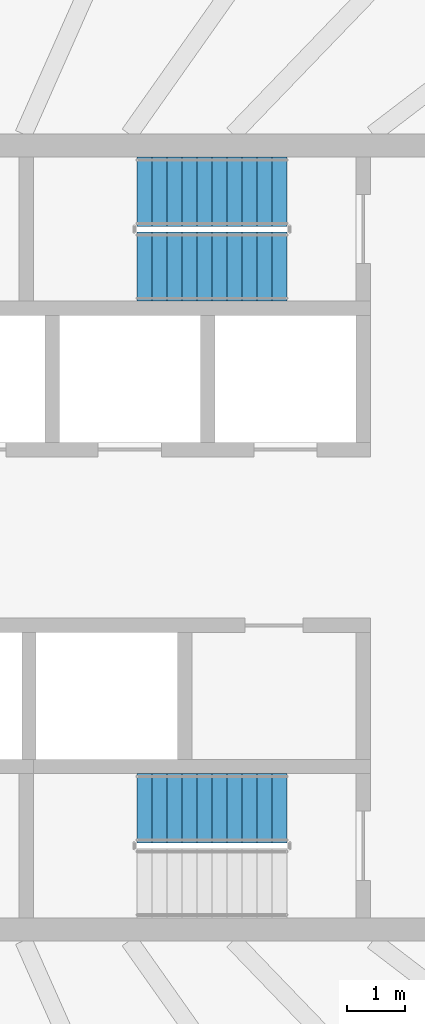
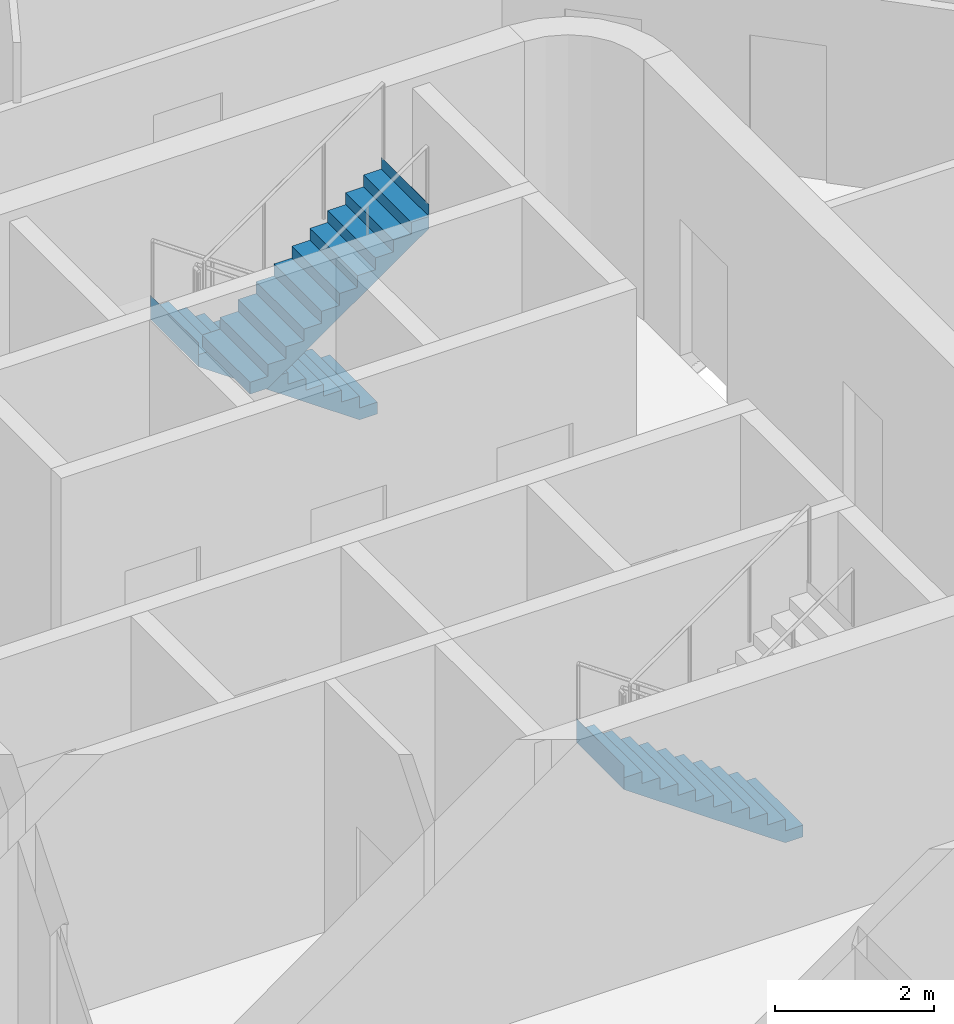
# One storey, part 15 of 20: 3 stair flights, 2 elements without a shape of their own.
"""IFC4 building model written with IfcOpenShell, lengths in metres."""

from ifc_helpers import new_model, si_unit, direction, frame, origin, place, context, subcontext, project, spatial, triangles, material, type_object, element, aggregate, save


model = new_model("IFC4")

# Units and contexts
model_context = context("Model", 3, precision=1e-05, world=origin(), true_north=direction((0.0, 1.0)))
body_context = subcontext(model_context, "Body", "Model", "MODEL_VIEW")
ifc_project = project(units=[si_unit("LENGTHUNIT", "METRE"), si_unit("AREAUNIT", "SQUARE_METRE"), si_unit("VOLUMEUNIT", "CUBIC_METRE"), si_unit("PLANEANGLEUNIT", "RADIAN"), si_unit("MASSUNIT", "GRAM", prefix="KILO")], contexts=[model_context])

# Site, building, storey
site_placement = place(None, origin())
site = spatial("IfcSite", under=ifc_project, at=site_placement, CompositionType="ELEMENT")
building_placement = place(site_placement, origin())
building = spatial("IfcBuilding", under=site, at=building_placement, Name="Sahrelin Media Tower", CompositionType="ELEMENT")
storey_placement = place(building_placement, frame((0.0, 0.0, 267.0)))
storey = spatial("IfcBuildingStorey", under=building, at=storey_placement, Name="L58", CompositionType="ELEMENT", Elevation=267.0)

# Stair, stair flights
ifc_material = material(Name="Concrete C40/50", Category="concrete")
stair_type = type_object("IfcStairType", Name="Exit stair 1200", PredefinedType="HALF_TURN_STAIR", material=ifc_material)
placement = place(storey_placement, origin())
stair_1 = element("IfcStair", 1, at=placement, inside=storey, type_object=stair_type, Name="L58 Exit stair ST3", PredefinedType="HALF_TURN_STAIR")
stair_flight_type = type_object("IfcStairFlightType", Name="Stair flight 1200", PredefinedType="STRAIGHT", material=ifc_material)
stair_flight_1_placement = place(storey_placement, frame((7.675048828125, 6.0, 0.0), z_axis=(0.0, 0.0, 1.0), x_axis=(-1.0, 0.0, 0.0)))
stair_flight_1 = element("IfcStairFlight", 2, at=stair_flight_1_placement, type_object=stair_flight_type, Name="ST3 flight 1", NumberOfRisers=11, NumberOfTreads=10, PredefinedType="STRAIGHT", RiserHeight=0.181818182, TreadLength=0.26, context=body_context, shape_type="Tessellation", body=[
    triangles([(0.261474609375, 0.60009765625, 0.0), (0.261474609375, 0.300048828125, 0.0), (0.261474609375, 0.0, 0.0), (0.261474609375, -0.300048828125, 0.0), (0.261474609375, -0.60009765625, 0.0), (2.60009765625, 0.60009765625, 1.63525390625), (2.60009765625, 0.300048828125, 1.63525390625), (2.60009765625, 0.0, 1.63525390625), (2.60009765625, -0.300048828125, 1.63525390625), (2.60009765625, -0.60009765625, 1.63525390625), (2.60009765625, 0.60009765625, 2.0), (2.60009765625, 0.300048828125, 2.0), (2.60009765625, 0.0, 2.0), (2.60009765625, -0.300048828125, 2.0), (2.60009765625, -0.60009765625, 2.0), (2.597900390625, 0.60009765625, 2.0), (2.597900390625, 0.300048828125, 2.0), (2.597900390625, 0.0, 2.0), (2.597900390625, -0.300048828125, 2.0), (2.597900390625, -0.60009765625, 2.0), (2.597900390625, 0.60009765625, 1.818115234375), (2.597900390625, 0.300048828125, 1.818115234375), (2.597900390625, 0.0, 1.818115234375), (2.597900390625, -0.300048828125, 1.818115234375), (2.597900390625, -0.60009765625, 1.818115234375), (2.340087890625, 0.60009765625, 1.818115234375), (2.340087890625, 0.300048828125, 1.818115234375), (2.340087890625, 0.0, 1.818115234375), (2.340087890625, -0.300048828125, 1.818115234375), (2.340087890625, -0.60009765625, 1.818115234375), (2.340087890625, 0.60009765625, 1.636474609375), (2.340087890625, 0.300048828125, 1.636474609375), (2.340087890625, 0.0, 1.636474609375), (2.340087890625, -0.300048828125, 1.636474609375), (2.340087890625, -0.60009765625, 1.636474609375), (2.080078125, 0.60009765625, 1.636474609375), (2.080078125, 0.300048828125, 1.636474609375), (2.080078125, 0.0, 1.636474609375), (2.080078125, -0.300048828125, 1.636474609375), (2.080078125, -0.60009765625, 1.636474609375), (2.080078125, 0.60009765625, 1.45458984375), (2.080078125, 0.300048828125, 1.45458984375), (2.080078125, 0.0, 1.45458984375), (2.080078125, -0.300048828125, 1.45458984375), (2.080078125, -0.60009765625, 1.45458984375), (1.820068359375, 0.60009765625, 1.45458984375), (1.820068359375, 0.300048828125, 1.45458984375), (1.820068359375, 0.0, 1.45458984375), (1.820068359375, -0.300048828125, 1.45458984375), (1.820068359375, -0.60009765625, 1.45458984375), (1.820068359375, 0.60009765625, 1.272705078125), (1.820068359375, 0.300048828125, 1.272705078125), (1.820068359375, 0.0, 1.272705078125), (1.820068359375, -0.300048828125, 1.272705078125), (1.820068359375, -0.60009765625, 1.272705078125), (1.56005859375, 0.60009765625, 1.272705078125), (1.56005859375, 0.300048828125, 1.272705078125), (1.56005859375, 0.0, 1.272705078125), (1.56005859375, -0.300048828125, 1.272705078125), (1.56005859375, -0.60009765625, 1.272705078125), (1.56005859375, 0.60009765625, 1.0908203125), (1.56005859375, 0.300048828125, 1.0908203125), (1.56005859375, 0.0, 1.0908203125), (1.56005859375, -0.300048828125, 1.0908203125), (1.56005859375, -0.60009765625, 1.0908203125), (1.300048828125, 0.60009765625, 1.0908203125), (1.300048828125, 0.300048828125, 1.0908203125), (1.300048828125, 0.0, 1.0908203125), (1.300048828125, -0.300048828125, 1.0908203125), (1.300048828125, -0.60009765625, 1.0908203125), (1.300048828125, 0.60009765625, 0.9091796875), (1.300048828125, 0.300048828125, 0.9091796875), (1.300048828125, 0.0, 0.9091796875), (1.300048828125, -0.300048828125, 0.9091796875), (1.300048828125, -0.60009765625, 0.9091796875), (1.0400390625, 0.60009765625, 0.9091796875), (1.0400390625, 0.300048828125, 0.9091796875), (1.0400390625, 0.0, 0.9091796875), (1.0400390625, -0.300048828125, 0.9091796875), (1.0400390625, -0.60009765625, 0.9091796875), (1.0400390625, 0.60009765625, 0.727294921875), (1.0400390625, 0.300048828125, 0.727294921875), (1.0400390625, 0.0, 0.727294921875), (1.0400390625, -0.300048828125, 0.727294921875), (1.0400390625, -0.60009765625, 0.727294921875), (0.780029296875, 0.60009765625, 0.727294921875), (0.780029296875, 0.300048828125, 0.727294921875), (0.780029296875, 0.0, 0.727294921875), (0.780029296875, -0.300048828125, 0.727294921875), (0.780029296875, -0.60009765625, 0.727294921875), (0.780029296875, 0.60009765625, 0.54541015625), (0.780029296875, 0.300048828125, 0.54541015625), (0.780029296875, 0.0, 0.54541015625), (0.780029296875, -0.300048828125, 0.54541015625), (0.780029296875, -0.60009765625, 0.54541015625), (0.52001953125, 0.60009765625, 0.54541015625), (0.52001953125, 0.300048828125, 0.54541015625), (0.52001953125, 0.0, 0.54541015625), (0.52001953125, -0.300048828125, 0.54541015625), (0.52001953125, -0.60009765625, 0.54541015625), (0.52001953125, 0.60009765625, 0.363525390625), (0.52001953125, 0.300048828125, 0.363525390625), (0.52001953125, 0.0, 0.363525390625), (0.52001953125, -0.300048828125, 0.363525390625), (0.52001953125, -0.60009765625, 0.363525390625), (0.260009765625, 0.60009765625, 0.363525390625), (0.260009765625, 0.300048828125, 0.363525390625), (0.260009765625, 0.0, 0.363525390625), (0.260009765625, -0.300048828125, 0.363525390625), (0.260009765625, -0.60009765625, 0.363525390625), (0.260009765625, 0.60009765625, 0.181884765625), (0.260009765625, 0.300048828125, 0.181884765625), (0.260009765625, 0.0, 0.181884765625), (0.260009765625, -0.300048828125, 0.181884765625), (0.260009765625, -0.60009765625, 0.181884765625), (0.0, 0.60009765625, 0.181884765625), (0.0, 0.300048828125, 0.181884765625), (0.0, 0.0, 0.181884765625), (0.0, -0.300048828125, 0.181884765625), (0.0, -0.60009765625, 0.181884765625), (0.0, 0.60009765625, 0.0), (0.0, 0.300048828125, 0.0), (0.0, 0.0, 0.0), (0.0, -0.300048828125, 0.0), (0.0, -0.60009765625, 0.0)], [[1, 6, 7], [1, 7, 2], [2, 7, 8], [2, 8, 3], [3, 8, 9], [3, 9, 4], [4, 9, 10], [4, 10, 5], [6, 11, 12], [6, 12, 7], [7, 12, 13], [7, 13, 8], [8, 13, 14], [8, 14, 9], [9, 14, 15], [9, 15, 10], [11, 16, 17], [11, 17, 12], [12, 17, 18], [12, 18, 13], [13, 18, 19], [13, 19, 14], [14, 19, 20], [14, 20, 15], [16, 21, 22], [16, 22, 17], [17, 22, 23], [17, 23, 18], [18, 23, 24], [18, 24, 19], [19, 24, 25], [19, 25, 20], [21, 26, 27], [21, 27, 22], [22, 27, 28], [22, 28, 23], [23, 28, 29], [23, 29, 24], [24, 29, 30], [24, 30, 25], [26, 31, 32], [26, 32, 27], [27, 32, 33], [27, 33, 28], [28, 33, 34], [28, 34, 29], [29, 34, 35], [29, 35, 30], [31, 36, 37], [31, 37, 32], [32, 37, 38], [32, 38, 33], [33, 38, 39], [33, 39, 34], [34, 39, 40], [34, 40, 35], [36, 41, 42], [36, 42, 37], [37, 42, 43], [37, 43, 38], [38, 43, 44], [38, 44, 39], [39, 44, 45], [39, 45, 40], [41, 46, 47], [41, 47, 42], [42, 47, 48], [42, 48, 43], [43, 48, 49], [43, 49, 44], [44, 49, 50], [44, 50, 45], [46, 51, 52], [46, 52, 47], [47, 52, 53], [47, 53, 48], [48, 53, 54], [48, 54, 49], [49, 54, 55], [49, 55, 50], [51, 56, 57], [51, 57, 52], [52, 57, 58], [52, 58, 53], [53, 58, 59], [53, 59, 54], [54, 59, 60], [54, 60, 55], [56, 61, 62], [56, 62, 57], [57, 62, 63], [57, 63, 58], [58, 63, 64], [58, 64, 59], [59, 64, 65], [59, 65, 60], [61, 66, 67], [61, 67, 62], [62, 67, 68], [62, 68, 63], [63, 68, 69], [63, 69, 64], [64, 69, 70], [64, 70, 65], [66, 71, 72], [66, 72, 67], [67, 72, 73], [67, 73, 68], [68, 73, 74], [68, 74, 69], [69, 74, 75], [69, 75, 70], [71, 76, 77], [71, 77, 72], [72, 77, 78], [72, 78, 73], [73, 78, 79], [73, 79, 74], [74, 79, 80], [74, 80, 75], [76, 81, 82], [76, 82, 77], [77, 82, 83], [77, 83, 78], [78, 83, 84], [78, 84, 79], [79, 84, 85], [79, 85, 80], [81, 86, 87], [81, 87, 82], [82, 87, 88], [82, 88, 83], [83, 88, 89], [83, 89, 84], [84, 89, 90], [84, 90, 85], [86, 91, 92], [86, 92, 87], [87, 92, 93], [87, 93, 88], [88, 93, 94], [88, 94, 89], [89, 94, 95], [89, 95, 90], [91, 96, 97], [91, 97, 92], [92, 97, 98], [92, 98, 93], [93, 98, 99], [93, 99, 94], [94, 99, 100], [94, 100, 95], [96, 101, 102], [96, 102, 97], [97, 102, 103], [97, 103, 98], [98, 103, 104], [98, 104, 99], [99, 104, 105], [99, 105, 100], [101, 106, 107], [101, 107, 102], [102, 107, 108], [102, 108, 103], [103, 108, 109], [103, 109, 104], [104, 109, 110], [104, 110, 105], [106, 111, 112], [106, 112, 107], [107, 112, 113], [107, 113, 108], [108, 113, 114], [108, 114, 109], [109, 114, 115], [109, 115, 110], [111, 116, 117], [111, 117, 112], [112, 117, 118], [112, 118, 113], [113, 118, 119], [113, 119, 114], [114, 119, 120], [114, 120, 115], [116, 121, 122], [116, 122, 117], [117, 122, 123], [117, 123, 118], [118, 123, 124], [118, 124, 119], [119, 124, 125], [119, 125, 120], [121, 1, 2], [121, 2, 122], [122, 2, 3], [122, 3, 123], [123, 3, 4], [123, 4, 124], [124, 4, 5], [124, 5, 125], [115, 120, 125], [111, 121, 116], [115, 105, 110], [111, 106, 101], [105, 95, 100], [101, 96, 91], [95, 85, 90], [91, 86, 81], [85, 75, 80], [81, 76, 71], [75, 65, 70], [71, 66, 61], [65, 55, 60], [61, 56, 51], [55, 45, 50], [51, 46, 41], [45, 35, 40], [41, 36, 31], [35, 25, 30], [31, 26, 21], [25, 15, 20], [21, 16, 11], [125, 5, 115], [121, 111, 1], [25, 10, 15], [21, 11, 6], [105, 115, 5], [101, 1, 111], [35, 10, 25], [31, 21, 6], [95, 105, 5], [91, 1, 101], [45, 10, 35], [41, 31, 6], [85, 95, 5], [81, 1, 91], [55, 10, 45], [51, 41, 6], [75, 85, 5], [71, 1, 81], [65, 10, 55], [61, 51, 6], [5, 10, 75], [1, 71, 6], [75, 10, 65], [71, 61, 6]], closed=True),
])
stair_flight_2_placement = place(storey_placement, frame((5.074951171875, 4.699951171875, 2.0), z_axis=(0.0, 0.0, 1.0), x_axis=(1.0, 0.0, 0.0)))
stair_flight_2 = element("IfcStairFlight", 3, at=stair_flight_2_placement, type_object=stair_flight_type, Name="ST3 flight 2", NumberOfRisers=11, NumberOfTreads=10, PredefinedType="STRAIGHT", RiserHeight=0.181818182, TreadLength=0.26, context=body_context, shape_type="Tessellation", body=[
    triangles([(0.261474609375, 0.60009765625, 0.0), (0.261474609375, 0.300048828125, 0.0), (0.261474609375, 0.0, 0.0), (0.261474609375, -0.300048828125, 0.0), (0.261474609375, -0.60009765625, 0.0), (2.60009765625, 0.60009765625, 1.63525390625), (2.60009765625, 0.300048828125, 1.63525390625), (2.60009765625, 0.0, 1.63525390625), (2.60009765625, -0.300048828125, 1.63525390625), (2.60009765625, -0.60009765625, 1.63525390625), (2.60009765625, 0.60009765625, 2.0), (2.60009765625, 0.300048828125, 2.0), (2.60009765625, 0.0, 2.0), (2.60009765625, -0.300048828125, 2.0), (2.60009765625, -0.60009765625, 2.0), (2.597900390625, 0.60009765625, 2.0), (2.597900390625, 0.300048828125, 2.0), (2.597900390625, 0.0, 2.0), (2.597900390625, -0.300048828125, 2.0), (2.597900390625, -0.60009765625, 2.0), (2.597900390625, 0.60009765625, 1.818115234375), (2.597900390625, 0.300048828125, 1.818115234375), (2.597900390625, 0.0, 1.818115234375), (2.597900390625, -0.300048828125, 1.818115234375), (2.597900390625, -0.60009765625, 1.818115234375), (2.340087890625, 0.60009765625, 1.818115234375), (2.340087890625, 0.300048828125, 1.818115234375), (2.340087890625, 0.0, 1.818115234375), (2.340087890625, -0.300048828125, 1.818115234375), (2.340087890625, -0.60009765625, 1.818115234375), (2.340087890625, 0.60009765625, 1.636474609375), (2.340087890625, 0.300048828125, 1.636474609375), (2.340087890625, 0.0, 1.636474609375), (2.340087890625, -0.300048828125, 1.636474609375), (2.340087890625, -0.60009765625, 1.636474609375), (2.080078125, 0.60009765625, 1.636474609375), (2.080078125, 0.300048828125, 1.636474609375), (2.080078125, 0.0, 1.636474609375), (2.080078125, -0.300048828125, 1.636474609375), (2.080078125, -0.60009765625, 1.636474609375), (2.080078125, 0.60009765625, 1.45458984375), (2.080078125, 0.300048828125, 1.45458984375), (2.080078125, 0.0, 1.45458984375), (2.080078125, -0.300048828125, 1.45458984375), (2.080078125, -0.60009765625, 1.45458984375), (1.820068359375, 0.60009765625, 1.45458984375), (1.820068359375, 0.300048828125, 1.45458984375), (1.820068359375, 0.0, 1.45458984375), (1.820068359375, -0.300048828125, 1.45458984375), (1.820068359375, -0.60009765625, 1.45458984375), (1.820068359375, 0.60009765625, 1.272705078125), (1.820068359375, 0.300048828125, 1.272705078125), (1.820068359375, 0.0, 1.272705078125), (1.820068359375, -0.300048828125, 1.272705078125), (1.820068359375, -0.60009765625, 1.272705078125), (1.56005859375, 0.60009765625, 1.272705078125), (1.56005859375, 0.300048828125, 1.272705078125), (1.56005859375, 0.0, 1.272705078125), (1.56005859375, -0.300048828125, 1.272705078125), (1.56005859375, -0.60009765625, 1.272705078125), (1.56005859375, 0.60009765625, 1.0908203125), (1.56005859375, 0.300048828125, 1.0908203125), (1.56005859375, 0.0, 1.0908203125), (1.56005859375, -0.300048828125, 1.0908203125), (1.56005859375, -0.60009765625, 1.0908203125), (1.300048828125, 0.60009765625, 1.0908203125), (1.300048828125, 0.300048828125, 1.0908203125), (1.300048828125, 0.0, 1.0908203125), (1.300048828125, -0.300048828125, 1.0908203125), (1.300048828125, -0.60009765625, 1.0908203125), (1.300048828125, 0.60009765625, 0.9091796875), (1.300048828125, 0.300048828125, 0.9091796875), (1.300048828125, 0.0, 0.9091796875), (1.300048828125, -0.300048828125, 0.9091796875), (1.300048828125, -0.60009765625, 0.9091796875), (1.0400390625, 0.60009765625, 0.9091796875), (1.0400390625, 0.300048828125, 0.9091796875), (1.0400390625, 0.0, 0.9091796875), (1.0400390625, -0.300048828125, 0.9091796875), (1.0400390625, -0.60009765625, 0.9091796875), (1.0400390625, 0.60009765625, 0.727294921875), (1.0400390625, 0.300048828125, 0.727294921875), (1.0400390625, 0.0, 0.727294921875), (1.0400390625, -0.300048828125, 0.727294921875), (1.0400390625, -0.60009765625, 0.727294921875), (0.780029296875, 0.60009765625, 0.727294921875), (0.780029296875, 0.300048828125, 0.727294921875), (0.780029296875, 0.0, 0.727294921875), (0.780029296875, -0.300048828125, 0.727294921875), (0.780029296875, -0.60009765625, 0.727294921875), (0.780029296875, 0.60009765625, 0.54541015625), (0.780029296875, 0.300048828125, 0.54541015625), (0.780029296875, 0.0, 0.54541015625), (0.780029296875, -0.300048828125, 0.54541015625), (0.780029296875, -0.60009765625, 0.54541015625), (0.52001953125, 0.60009765625, 0.54541015625), (0.52001953125, 0.300048828125, 0.54541015625), (0.52001953125, 0.0, 0.54541015625), (0.52001953125, -0.300048828125, 0.54541015625), (0.52001953125, -0.60009765625, 0.54541015625), (0.52001953125, 0.60009765625, 0.363525390625), (0.52001953125, 0.300048828125, 0.363525390625), (0.52001953125, 0.0, 0.363525390625), (0.52001953125, -0.300048828125, 0.363525390625), (0.52001953125, -0.60009765625, 0.363525390625), (0.260009765625, 0.60009765625, 0.363525390625), (0.260009765625, 0.300048828125, 0.363525390625), (0.260009765625, 0.0, 0.363525390625), (0.260009765625, -0.300048828125, 0.363525390625), (0.260009765625, -0.60009765625, 0.363525390625), (0.260009765625, 0.60009765625, 0.181884765625), (0.260009765625, 0.300048828125, 0.181884765625), (0.260009765625, 0.0, 0.181884765625), (0.260009765625, -0.300048828125, 0.181884765625), (0.260009765625, -0.60009765625, 0.181884765625), (0.0, 0.60009765625, 0.181884765625), (0.0, 0.300048828125, 0.181884765625), (0.0, 0.0, 0.181884765625), (0.0, -0.300048828125, 0.181884765625), (0.0, -0.60009765625, 0.181884765625), (0.0, 0.60009765625, 0.0), (0.0, 0.300048828125, 0.0), (0.0, 0.0, 0.0), (0.0, -0.300048828125, 0.0), (0.0, -0.60009765625, 0.0)], [[1, 6, 7], [1, 7, 2], [2, 7, 8], [2, 8, 3], [3, 8, 9], [3, 9, 4], [4, 9, 10], [4, 10, 5], [6, 11, 12], [6, 12, 7], [7, 12, 13], [7, 13, 8], [8, 13, 14], [8, 14, 9], [9, 14, 15], [9, 15, 10], [11, 16, 17], [11, 17, 12], [12, 17, 18], [12, 18, 13], [13, 18, 19], [13, 19, 14], [14, 19, 20], [14, 20, 15], [16, 21, 22], [16, 22, 17], [17, 22, 23], [17, 23, 18], [18, 23, 24], [18, 24, 19], [19, 24, 25], [19, 25, 20], [21, 26, 27], [21, 27, 22], [22, 27, 28], [22, 28, 23], [23, 28, 29], [23, 29, 24], [24, 29, 30], [24, 30, 25], [26, 31, 32], [26, 32, 27], [27, 32, 33], [27, 33, 28], [28, 33, 34], [28, 34, 29], [29, 34, 35], [29, 35, 30], [31, 36, 37], [31, 37, 32], [32, 37, 38], [32, 38, 33], [33, 38, 39], [33, 39, 34], [34, 39, 40], [34, 40, 35], [36, 41, 42], [36, 42, 37], [37, 42, 43], [37, 43, 38], [38, 43, 44], [38, 44, 39], [39, 44, 45], [39, 45, 40], [41, 46, 47], [41, 47, 42], [42, 47, 48], [42, 48, 43], [43, 48, 49], [43, 49, 44], [44, 49, 50], [44, 50, 45], [46, 51, 52], [46, 52, 47], [47, 52, 53], [47, 53, 48], [48, 53, 54], [48, 54, 49], [49, 54, 55], [49, 55, 50], [51, 56, 57], [51, 57, 52], [52, 57, 58], [52, 58, 53], [53, 58, 59], [53, 59, 54], [54, 59, 60], [54, 60, 55], [56, 61, 62], [56, 62, 57], [57, 62, 63], [57, 63, 58], [58, 63, 64], [58, 64, 59], [59, 64, 65], [59, 65, 60], [61, 66, 67], [61, 67, 62], [62, 67, 68], [62, 68, 63], [63, 68, 69], [63, 69, 64], [64, 69, 70], [64, 70, 65], [66, 71, 72], [66, 72, 67], [67, 72, 73], [67, 73, 68], [68, 73, 74], [68, 74, 69], [69, 74, 75], [69, 75, 70], [71, 76, 77], [71, 77, 72], [72, 77, 78], [72, 78, 73], [73, 78, 79], [73, 79, 74], [74, 79, 80], [74, 80, 75], [76, 81, 82], [76, 82, 77], [77, 82, 83], [77, 83, 78], [78, 83, 84], [78, 84, 79], [79, 84, 85], [79, 85, 80], [81, 86, 87], [81, 87, 82], [82, 87, 88], [82, 88, 83], [83, 88, 89], [83, 89, 84], [84, 89, 90], [84, 90, 85], [86, 91, 92], [86, 92, 87], [87, 92, 93], [87, 93, 88], [88, 93, 94], [88, 94, 89], [89, 94, 95], [89, 95, 90], [91, 96, 97], [91, 97, 92], [92, 97, 98], [92, 98, 93], [93, 98, 99], [93, 99, 94], [94, 99, 100], [94, 100, 95], [96, 101, 102], [96, 102, 97], [97, 102, 103], [97, 103, 98], [98, 103, 104], [98, 104, 99], [99, 104, 105], [99, 105, 100], [101, 106, 107], [101, 107, 102], [102, 107, 108], [102, 108, 103], [103, 108, 109], [103, 109, 104], [104, 109, 110], [104, 110, 105], [106, 111, 112], [106, 112, 107], [107, 112, 113], [107, 113, 108], [108, 113, 114], [108, 114, 109], [109, 114, 115], [109, 115, 110], [111, 116, 117], [111, 117, 112], [112, 117, 118], [112, 118, 113], [113, 118, 119], [113, 119, 114], [114, 119, 120], [114, 120, 115], [116, 121, 122], [116, 122, 117], [117, 122, 123], [117, 123, 118], [118, 123, 124], [118, 124, 119], [119, 124, 125], [119, 125, 120], [121, 1, 2], [121, 2, 122], [122, 2, 3], [122, 3, 123], [123, 3, 4], [123, 4, 124], [124, 4, 5], [124, 5, 125], [115, 120, 125], [111, 121, 116], [115, 105, 110], [111, 106, 101], [105, 95, 100], [101, 96, 91], [95, 85, 90], [91, 86, 81], [85, 75, 80], [81, 76, 71], [75, 65, 70], [71, 66, 61], [65, 55, 60], [61, 56, 51], [55, 45, 50], [51, 46, 41], [45, 35, 40], [41, 36, 31], [35, 25, 30], [31, 26, 21], [25, 15, 20], [21, 16, 11], [125, 5, 115], [121, 111, 1], [25, 10, 15], [21, 11, 6], [105, 115, 5], [101, 1, 111], [35, 10, 25], [31, 21, 6], [95, 105, 5], [91, 1, 101], [45, 10, 35], [41, 31, 6], [85, 95, 5], [81, 1, 91], [55, 10, 45], [51, 41, 6], [75, 85, 5], [71, 1, 81], [65, 10, 55], [61, 51, 6], [5, 10, 75], [1, 71, 6], [75, 10, 65], [71, 61, 6]], closed=True),
])
aggregate(stair_1, [stair_flight_1, stair_flight_2])

# Stair, stair flight
stair_2 = element("IfcStair", 4, at=placement, inside=storey, type_object=stair_type, Name="L58 Exit stair ST2", PredefinedType="HALF_TURN_STAIR")
stair_flight_3_placement = place(storey_placement, frame((7.675048828125, -4.699951171875, 0.0), z_axis=(0.0, 0.0, 1.0), x_axis=(-1.0, 0.0, 0.0)))
stair_flight_3 = element("IfcStairFlight", 5, at=stair_flight_3_placement, type_object=stair_flight_type, Name="ST2 flight 1", NumberOfRisers=11, NumberOfTreads=10, PredefinedType="STRAIGHT", RiserHeight=0.181818182, TreadLength=0.26, context=body_context, shape_type="Tessellation", body=[
    triangles([(0.261474609375, 0.60009765625, 0.0), (0.261474609375, 0.300048828125, 0.0), (0.261474609375, 0.0, 0.0), (0.261474609375, -0.300048828125, 0.0), (0.261474609375, -0.60009765625, 0.0), (2.60009765625, 0.60009765625, 1.63525390625), (2.60009765625, 0.300048828125, 1.63525390625), (2.60009765625, 0.0, 1.63525390625), (2.60009765625, -0.300048828125, 1.63525390625), (2.60009765625, -0.60009765625, 1.63525390625), (2.60009765625, 0.60009765625, 2.0), (2.60009765625, 0.300048828125, 2.0), (2.60009765625, 0.0, 2.0), (2.60009765625, -0.300048828125, 2.0), (2.60009765625, -0.60009765625, 2.0), (2.597900390625, 0.60009765625, 2.0), (2.597900390625, 0.300048828125, 2.0), (2.597900390625, 0.0, 2.0), (2.597900390625, -0.300048828125, 2.0), (2.597900390625, -0.60009765625, 2.0), (2.597900390625, 0.60009765625, 1.818115234375), (2.597900390625, 0.300048828125, 1.818115234375), (2.597900390625, 0.0, 1.818115234375), (2.597900390625, -0.300048828125, 1.818115234375), (2.597900390625, -0.60009765625, 1.818115234375), (2.340087890625, 0.60009765625, 1.818115234375), (2.340087890625, 0.300048828125, 1.818115234375), (2.340087890625, 0.0, 1.818115234375), (2.340087890625, -0.300048828125, 1.818115234375), (2.340087890625, -0.60009765625, 1.818115234375), (2.340087890625, 0.60009765625, 1.636474609375), (2.340087890625, 0.300048828125, 1.636474609375), (2.340087890625, 0.0, 1.636474609375), (2.340087890625, -0.300048828125, 1.636474609375), (2.340087890625, -0.60009765625, 1.636474609375), (2.080078125, 0.60009765625, 1.636474609375), (2.080078125, 0.300048828125, 1.636474609375), (2.080078125, 0.0, 1.636474609375), (2.080078125, -0.300048828125, 1.636474609375), (2.080078125, -0.60009765625, 1.636474609375), (2.080078125, 0.60009765625, 1.45458984375), (2.080078125, 0.300048828125, 1.45458984375), (2.080078125, 0.0, 1.45458984375), (2.080078125, -0.300048828125, 1.45458984375), (2.080078125, -0.60009765625, 1.45458984375), (1.820068359375, 0.60009765625, 1.45458984375), (1.820068359375, 0.300048828125, 1.45458984375), (1.820068359375, 0.0, 1.45458984375), (1.820068359375, -0.300048828125, 1.45458984375), (1.820068359375, -0.60009765625, 1.45458984375), (1.820068359375, 0.60009765625, 1.272705078125), (1.820068359375, 0.300048828125, 1.272705078125), (1.820068359375, 0.0, 1.272705078125), (1.820068359375, -0.300048828125, 1.272705078125), (1.820068359375, -0.60009765625, 1.272705078125), (1.56005859375, 0.60009765625, 1.272705078125), (1.56005859375, 0.300048828125, 1.272705078125), (1.56005859375, 0.0, 1.272705078125), (1.56005859375, -0.300048828125, 1.272705078125), (1.56005859375, -0.60009765625, 1.272705078125), (1.56005859375, 0.60009765625, 1.0908203125), (1.56005859375, 0.300048828125, 1.0908203125), (1.56005859375, 0.0, 1.0908203125), (1.56005859375, -0.300048828125, 1.0908203125), (1.56005859375, -0.60009765625, 1.0908203125), (1.300048828125, 0.60009765625, 1.0908203125), (1.300048828125, 0.300048828125, 1.0908203125), (1.300048828125, 0.0, 1.0908203125), (1.300048828125, -0.300048828125, 1.0908203125), (1.300048828125, -0.60009765625, 1.0908203125), (1.300048828125, 0.60009765625, 0.9091796875), (1.300048828125, 0.300048828125, 0.9091796875), (1.300048828125, 0.0, 0.9091796875), (1.300048828125, -0.300048828125, 0.9091796875), (1.300048828125, -0.60009765625, 0.9091796875), (1.0400390625, 0.60009765625, 0.9091796875), (1.0400390625, 0.300048828125, 0.9091796875), (1.0400390625, 0.0, 0.9091796875), (1.0400390625, -0.300048828125, 0.9091796875), (1.0400390625, -0.60009765625, 0.9091796875), (1.0400390625, 0.60009765625, 0.727294921875), (1.0400390625, 0.300048828125, 0.727294921875), (1.0400390625, 0.0, 0.727294921875), (1.0400390625, -0.300048828125, 0.727294921875), (1.0400390625, -0.60009765625, 0.727294921875), (0.780029296875, 0.60009765625, 0.727294921875), (0.780029296875, 0.300048828125, 0.727294921875), (0.780029296875, 0.0, 0.727294921875), (0.780029296875, -0.300048828125, 0.727294921875), (0.780029296875, -0.60009765625, 0.727294921875), (0.780029296875, 0.60009765625, 0.54541015625), (0.780029296875, 0.300048828125, 0.54541015625), (0.780029296875, 0.0, 0.54541015625), (0.780029296875, -0.300048828125, 0.54541015625), (0.780029296875, -0.60009765625, 0.54541015625), (0.52001953125, 0.60009765625, 0.54541015625), (0.52001953125, 0.300048828125, 0.54541015625), (0.52001953125, 0.0, 0.54541015625), (0.52001953125, -0.300048828125, 0.54541015625), (0.52001953125, -0.60009765625, 0.54541015625), (0.52001953125, 0.60009765625, 0.363525390625), (0.52001953125, 0.300048828125, 0.363525390625), (0.52001953125, 0.0, 0.363525390625), (0.52001953125, -0.300048828125, 0.363525390625), (0.52001953125, -0.60009765625, 0.363525390625), (0.260009765625, 0.60009765625, 0.363525390625), (0.260009765625, 0.300048828125, 0.363525390625), (0.260009765625, 0.0, 0.363525390625), (0.260009765625, -0.300048828125, 0.363525390625), (0.260009765625, -0.60009765625, 0.363525390625), (0.260009765625, 0.60009765625, 0.181884765625), (0.260009765625, 0.300048828125, 0.181884765625), (0.260009765625, 0.0, 0.181884765625), (0.260009765625, -0.300048828125, 0.181884765625), (0.260009765625, -0.60009765625, 0.181884765625), (0.0, 0.60009765625, 0.181884765625), (0.0, 0.300048828125, 0.181884765625), (0.0, 0.0, 0.181884765625), (0.0, -0.300048828125, 0.181884765625), (0.0, -0.60009765625, 0.181884765625), (0.0, 0.60009765625, 0.0), (0.0, 0.300048828125, 0.0), (0.0, 0.0, 0.0), (0.0, -0.300048828125, 0.0), (0.0, -0.60009765625, 0.0)], [[1, 6, 7], [1, 7, 2], [2, 7, 8], [2, 8, 3], [3, 8, 9], [3, 9, 4], [4, 9, 10], [4, 10, 5], [6, 11, 12], [6, 12, 7], [7, 12, 13], [7, 13, 8], [8, 13, 14], [8, 14, 9], [9, 14, 15], [9, 15, 10], [11, 16, 17], [11, 17, 12], [12, 17, 18], [12, 18, 13], [13, 18, 19], [13, 19, 14], [14, 19, 20], [14, 20, 15], [16, 21, 22], [16, 22, 17], [17, 22, 23], [17, 23, 18], [18, 23, 24], [18, 24, 19], [19, 24, 25], [19, 25, 20], [21, 26, 27], [21, 27, 22], [22, 27, 28], [22, 28, 23], [23, 28, 29], [23, 29, 24], [24, 29, 30], [24, 30, 25], [26, 31, 32], [26, 32, 27], [27, 32, 33], [27, 33, 28], [28, 33, 34], [28, 34, 29], [29, 34, 35], [29, 35, 30], [31, 36, 37], [31, 37, 32], [32, 37, 38], [32, 38, 33], [33, 38, 39], [33, 39, 34], [34, 39, 40], [34, 40, 35], [36, 41, 42], [36, 42, 37], [37, 42, 43], [37, 43, 38], [38, 43, 44], [38, 44, 39], [39, 44, 45], [39, 45, 40], [41, 46, 47], [41, 47, 42], [42, 47, 48], [42, 48, 43], [43, 48, 49], [43, 49, 44], [44, 49, 50], [44, 50, 45], [46, 51, 52], [46, 52, 47], [47, 52, 53], [47, 53, 48], [48, 53, 54], [48, 54, 49], [49, 54, 55], [49, 55, 50], [51, 56, 57], [51, 57, 52], [52, 57, 58], [52, 58, 53], [53, 58, 59], [53, 59, 54], [54, 59, 60], [54, 60, 55], [56, 61, 62], [56, 62, 57], [57, 62, 63], [57, 63, 58], [58, 63, 64], [58, 64, 59], [59, 64, 65], [59, 65, 60], [61, 66, 67], [61, 67, 62], [62, 67, 68], [62, 68, 63], [63, 68, 69], [63, 69, 64], [64, 69, 70], [64, 70, 65], [66, 71, 72], [66, 72, 67], [67, 72, 73], [67, 73, 68], [68, 73, 74], [68, 74, 69], [69, 74, 75], [69, 75, 70], [71, 76, 77], [71, 77, 72], [72, 77, 78], [72, 78, 73], [73, 78, 79], [73, 79, 74], [74, 79, 80], [74, 80, 75], [76, 81, 82], [76, 82, 77], [77, 82, 83], [77, 83, 78], [78, 83, 84], [78, 84, 79], [79, 84, 85], [79, 85, 80], [81, 86, 87], [81, 87, 82], [82, 87, 88], [82, 88, 83], [83, 88, 89], [83, 89, 84], [84, 89, 90], [84, 90, 85], [86, 91, 92], [86, 92, 87], [87, 92, 93], [87, 93, 88], [88, 93, 94], [88, 94, 89], [89, 94, 95], [89, 95, 90], [91, 96, 97], [91, 97, 92], [92, 97, 98], [92, 98, 93], [93, 98, 99], [93, 99, 94], [94, 99, 100], [94, 100, 95], [96, 101, 102], [96, 102, 97], [97, 102, 103], [97, 103, 98], [98, 103, 104], [98, 104, 99], [99, 104, 105], [99, 105, 100], [101, 106, 107], [101, 107, 102], [102, 107, 108], [102, 108, 103], [103, 108, 109], [103, 109, 104], [104, 109, 110], [104, 110, 105], [106, 111, 112], [106, 112, 107], [107, 112, 113], [107, 113, 108], [108, 113, 114], [108, 114, 109], [109, 114, 115], [109, 115, 110], [111, 116, 117], [111, 117, 112], [112, 117, 118], [112, 118, 113], [113, 118, 119], [113, 119, 114], [114, 119, 120], [114, 120, 115], [116, 121, 122], [116, 122, 117], [117, 122, 123], [117, 123, 118], [118, 123, 124], [118, 124, 119], [119, 124, 125], [119, 125, 120], [121, 1, 2], [121, 2, 122], [122, 2, 3], [122, 3, 123], [123, 3, 4], [123, 4, 124], [124, 4, 5], [124, 5, 125], [115, 120, 125], [111, 121, 116], [115, 105, 110], [111, 106, 101], [105, 95, 100], [101, 96, 91], [95, 85, 90], [91, 86, 81], [85, 75, 80], [81, 76, 71], [75, 65, 70], [71, 66, 61], [65, 55, 60], [61, 56, 51], [55, 45, 50], [51, 46, 41], [45, 35, 40], [41, 36, 31], [35, 25, 30], [31, 26, 21], [25, 15, 20], [21, 16, 11], [125, 5, 115], [121, 111, 1], [25, 10, 15], [21, 11, 6], [105, 115, 5], [101, 1, 111], [35, 10, 25], [31, 21, 6], [95, 105, 5], [91, 1, 101], [45, 10, 35], [41, 31, 6], [85, 95, 5], [81, 1, 91], [55, 10, 45], [51, 41, 6], [75, 85, 5], [71, 1, 81], [65, 10, 55], [61, 51, 6], [5, 10, 75], [1, 71, 6], [75, 10, 65], [71, 61, 6]], closed=True),
])
aggregate(stair_2, [stair_flight_3])

save(model, "model.ifc")
